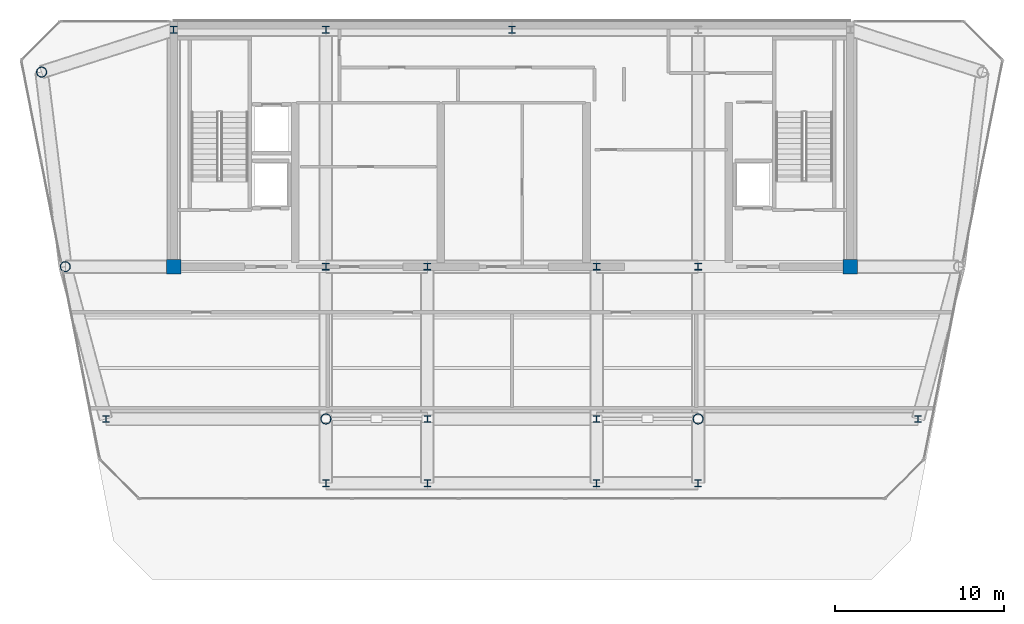
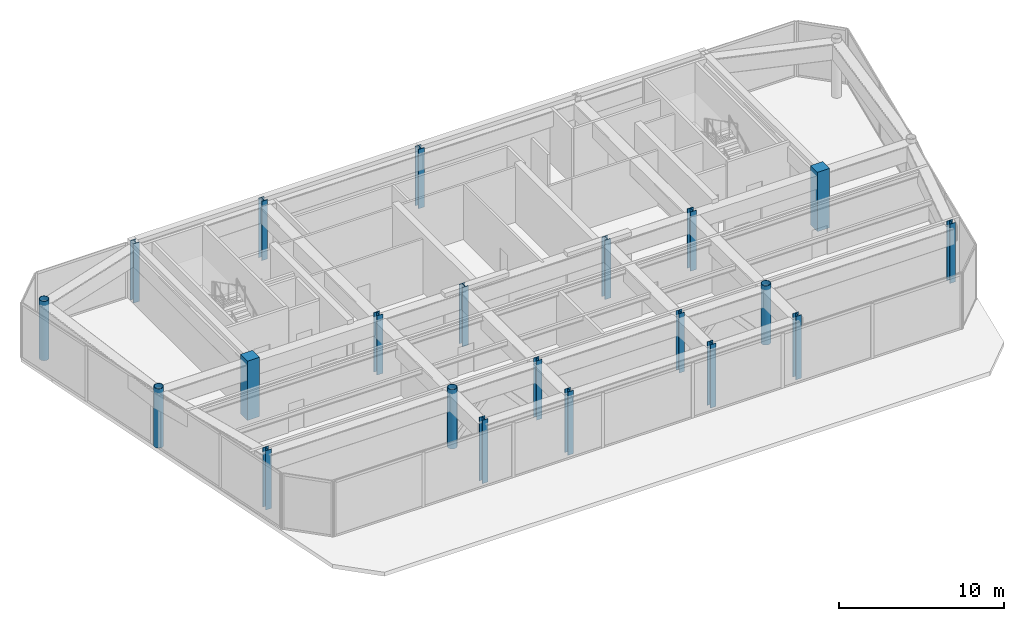
# One storey, part 1 of 12: 21 columns.
"""IFC4 building model written with IfcOpenShell, lengths in metres."""

from ifc_helpers import new_model, si_unit, direction, frame, origin, origin_2d, place, context, subcontext, project, spatial, rectangle, hollow_circle, i_section, extrude, source, transform, mapped, material, material_profile, profile_set, type_object, element, save


model = new_model("IFC4")

# Units and contexts
model_context = context("Model", 3, precision=1e-05, world=origin(), true_north=direction((0.0, 1.0)))
body_context = subcontext(model_context, "Body", "Model", "MODEL_VIEW")
ifc_project = project(units=[si_unit("LENGTHUNIT", "METRE"), si_unit("AREAUNIT", "SQUARE_METRE"), si_unit("VOLUMEUNIT", "CUBIC_METRE"), si_unit("PLANEANGLEUNIT", "RADIAN"), si_unit("MASSUNIT", "GRAM", prefix="KILO")], contexts=[model_context])

# Site, building, storey
site_placement = place(None, origin())
site = spatial("IfcSite", under=ifc_project, at=site_placement, CompositionType="ELEMENT")
building_placement = place(site_placement, origin())
building = spatial("IfcBuilding", under=site, at=building_placement, Name="Vaeldorn Concourse Tower", CompositionType="ELEMENT")
storey_placement = place(building_placement, frame((0.0, 0.0, 308.39990234375)))
storey = spatial("IfcBuildingStorey", under=building, at=storey_placement, Name="L79", CompositionType="ELEMENT", Elevation=308.39990234375)

# Columns
ifc_material_1 = material(Name="Concrete C50/60", Category="concrete")
ifc_material_profile_1 = material_profile(ifc_material_1, rectangle(XDim=0.85009765625, YDim=0.85009765625, at=origin_2d()), Name="RC 850x850")
ifc_profile_set_1 = profile_set([ifc_material_profile_1], Name="Concrete C50/60")
column_type_1 = type_object("IfcColumnType", Name="COL-RC850", PredefinedType="COLUMN", material=ifc_profile_set_1)
shared_shape_1 = source(origin(), body_context, "Body", "SweptSolid", [
    extrude(rectangle(XDim=0.85009765625, YDim=0.85009765625, at=origin_2d()), origin(), (0.0, 0.0, 1.0), 4.400146484375),
])
for number, where, z_axis, x_axis, name in (
    (1, (14.0, 36.5, 0.0), (0.0, 0.0, 1.0), (1.0, 0.0, 0.0), "Column C-FC1 L79"),
    (2, (54.0, 36.5, 0.0), (0.0, 0.0, 1.0), (1.0, 0.0, 0.0), "Column C-FC6 L79"),
):
    element("IfcColumn", number, at=place(storey_placement, frame(where, z_axis=z_axis, x_axis=x_axis)), inside=storey, type_object=column_type_1, Name=name, PredefinedType="COLUMN", context=body_context, shape_type="MappedRepresentation", body=[
        mapped(shared_shape_1, transform((0.0, 0.0, 0.0), scale=1.0)),
    ])
ifc_material_2 = material(Name="Steel S355", Category="steel")
ifc_material_profile_2 = material_profile(ifc_material_2, i_section(OverallWidth=0.406005859375, OverallDepth=0.416015625, WebThickness=0.02978515625, FlangeThickness=0.0419921875, FilletRadius=0.014892578125, at=origin_2d()), Name="HD 400x382")
ifc_profile_set_2 = profile_set([ifc_material_profile_2], Name="Steel S355")
column_type_2 = type_object("IfcColumnType", Name="COL-HD382", PredefinedType="COLUMN", material=ifc_profile_set_2)
shared_shape_2 = source(origin(), body_context, "Body", "SweptSolid", [
    extrude(i_section(OverallWidth=0.406005859375, OverallDepth=0.416015625, WebThickness=0.02978515625, FlangeThickness=0.0419921875, FilletRadius=0.014892578125, at=origin_2d()), origin(), (0.0, 0.0, 1.0), 4.400146484375),
])
for number, where, z_axis, x_axis, name in (
    (3, (23.0, 36.5, 0.0), (0.0, 0.0, 1.0), (1.0, 0.0, 0.0), "Column C-FC2 L79"),
    (4, (29.0, 36.5, 0.0), (0.0, 0.0, 1.0), (1.0, 0.0, 0.0), "Column C-FC3 L79"),
    (5, (39.0, 36.5, 0.0), (0.0, 0.0, 1.0), (1.0, 0.0, 0.0), "Column C-FC4 L79"),
    (6, (45.0, 36.5, 0.0), (0.0, 0.0, 1.0), (1.0, 0.0, 0.0), "Column C-FC5 L79"),
    (7, (14.0, 50.5, 0.0), (0.0, 0.0, 1.0), (1.0, 0.0, 0.0), "Column C-HC1 L79"),
    (8, (23.0, 50.5, 0.0), (0.0, 0.0, 1.0), (1.0, 0.0, 0.0), "Column C-HC2 L79"),
    (9, (34.0, 50.5, 0.0), (0.0, 0.0, 1.0), (1.0, 0.0, 0.0), "Column C-HC3 L79"),
):
    element("IfcColumn", number, at=place(storey_placement, frame(where, z_axis=z_axis, x_axis=x_axis)), inside=storey, type_object=column_type_2, Name=name, PredefinedType="COLUMN", context=body_context, shape_type="MappedRepresentation", body=[
        mapped(shared_shape_2, transform((0.0, 0.0, 0.0), scale=1.0)),
    ])
ifc_material_profile_3 = material_profile(ifc_material_2, hollow_circle(Radius=0.304931640625, WallThickness=0.030029296875, at=origin_2d()), Name="CHS 610x30")
ifc_profile_set_3 = profile_set([ifc_material_profile_3], Name="Steel S355")
column_type_3 = type_object("IfcColumnType", Name="COL-CHS610", PredefinedType="COLUMN", material=ifc_profile_set_3)
shared_shape_3 = source(origin(), body_context, "Body", "SweptSolid", [
    extrude(hollow_circle(Radius=0.304931640625, WallThickness=0.030029296875, at=origin_2d()), origin(), (0.0, 0.0, 1.0), 4.400146484375),
])
for number, where, z_axis, x_axis, name in (
    (10, (6.199951171875, 48.0, 0.0), (0.0, 0.0, 1.0), (1.0, 0.0, 0.0), "Column C-NW1 L79"),
    (11, (7.60009765625, 36.5, 0.0), (0.0, 0.0, 1.0), (1.0, 0.0, 0.0), "Column C-NW2 L79"),
    (12, (23.0, 27.5, 0.0), (0.0, 0.0, 1.0), (1.0, 0.0, 0.0), "Column C-TW1 L79"),
    (13, (45.0, 27.5, 0.0), (0.0, 0.0, 1.0), (1.0, 0.0, 0.0), "Column C-TW4 L79"),
):
    element("IfcColumn", number, at=place(storey_placement, frame(where, z_axis=z_axis, x_axis=x_axis)), inside=storey, type_object=column_type_3, Name=name, PredefinedType="COLUMN", context=body_context, shape_type="MappedRepresentation", body=[
        mapped(shared_shape_3, transform((0.0, 0.0, 0.0), scale=1.0)),
    ])
ifc_material_profile_4 = material_profile(ifc_material_2, i_section(OverallWidth=0.40087890625, OverallDepth=0.39892578125, WebThickness=0.02490234375, FlangeThickness=0.034912109375, FilletRadius=0.014892578125, at=origin_2d()), Name="HD 400x314")
ifc_profile_set_4 = profile_set([ifc_material_profile_4], Name="Steel S355")
column_type_4 = type_object("IfcColumnType", Name="COL-HD314F", PredefinedType="COLUMN", material=ifc_profile_set_4)
shared_shape_4 = source(origin(), body_context, "Body", "SweptSolid", [
    extrude(i_section(OverallWidth=0.40087890625, OverallDepth=0.39892578125, WebThickness=0.02490234375, FlangeThickness=0.034912109375, FilletRadius=0.014892578125, at=origin_2d()), origin(), (0.0, 0.0, 1.0), 4.400146484375),
])
for number, where, z_axis, x_axis, name in (
    (14, (10.0, 27.5, 0.0), (0.0, 0.0, 1.0), (1.0, 0.0, 0.0), "Column C-FLW1 L79"),
    (15, (58.0, 27.5, 0.0), (0.0, 0.0, 1.0), (1.0, 0.0, 0.0), "Column C-FLE1 L79"),
):
    element("IfcColumn", number, at=place(storey_placement, frame(where, z_axis=z_axis, x_axis=x_axis)), inside=storey, type_object=column_type_4, Name=name, PredefinedType="COLUMN", context=body_context, shape_type="MappedRepresentation", body=[
        mapped(shared_shape_4, transform((0.0, 0.0, 0.0), scale=1.0)),
    ])
ifc_material_profile_5 = material_profile(ifc_material_2, i_section(OverallWidth=0.39794921875, OverallDepth=0.386962890625, WebThickness=0.0205078125, FlangeThickness=0.029052734375, FilletRadius=0.014892578125, at=origin_2d()), Name="HD 400x262")
ifc_profile_set_5 = profile_set([ifc_material_profile_5], Name="Steel S355")
column_type_5 = type_object("IfcColumnType", Name="COL-HD262T", PredefinedType="COLUMN", material=ifc_profile_set_5)
shared_shape_5 = source(origin(), body_context, "Body", "SweptSolid", [
    extrude(i_section(OverallWidth=0.39794921875, OverallDepth=0.386962890625, WebThickness=0.0205078125, FlangeThickness=0.029052734375, FilletRadius=0.014892578125, at=origin_2d()), origin(), (0.0, 0.0, 1.0), 4.400146484375),
])
for number, where, z_axis, x_axis, name in (
    (16, (29.0, 27.5, 0.0), (0.0, 0.0, 1.0), (1.0, 0.0, 0.0), "Column C-TW2 L79"),
    (17, (39.0, 27.5, 0.0), (0.0, 0.0, 1.0), (1.0, 0.0, 0.0), "Column C-TW3 L79"),
):
    element("IfcColumn", number, at=place(storey_placement, frame(where, z_axis=z_axis, x_axis=x_axis)), inside=storey, type_object=column_type_5, Name=name, PredefinedType="COLUMN", context=body_context, shape_type="MappedRepresentation", body=[
        mapped(shared_shape_5, transform((0.0, 0.0, 0.0), scale=1.0)),
    ])
shared_shape_6 = source(origin(), body_context, "Body", "SweptSolid", [
    extrude(i_section(OverallWidth=0.39794921875, OverallDepth=0.386962890625, WebThickness=0.0205078125, FlangeThickness=0.029052734375, FilletRadius=0.014892578125, at=origin_2d()), origin(), (0.0, 0.0, 1.0), 4.699951171875),
])
for number, where, z_axis, x_axis, name in (
    (18, (23.0, 23.699951171875, -0.2998046875), (0.0, 0.0, 1.0), (1.0, 0.0, 0.0), "Column C-SF2 L79"),
    (19, (29.0, 23.699951171875, -0.2998046875), (0.0, 0.0, 1.0), (1.0, 0.0, 0.0), "Column C-SF3 L79"),
    (20, (39.0, 23.699951171875, -0.2998046875), (0.0, 0.0, 1.0), (1.0, 0.0, 0.0), "Column C-SF4 L79"),
    (21, (45.0, 23.699951171875, -0.2998046875), (0.0, 0.0, 1.0), (1.0, 0.0, 0.0), "Column C-SF5 L79"),
):
    element("IfcColumn", number, at=place(storey_placement, frame(where, z_axis=z_axis, x_axis=x_axis)), inside=storey, type_object=column_type_5, Name=name, PredefinedType="COLUMN", context=body_context, shape_type="MappedRepresentation", body=[
        mapped(shared_shape_6, transform((0.0, 0.0, 0.0), scale=1.0)),
    ])

save(model, "model.ifc")
